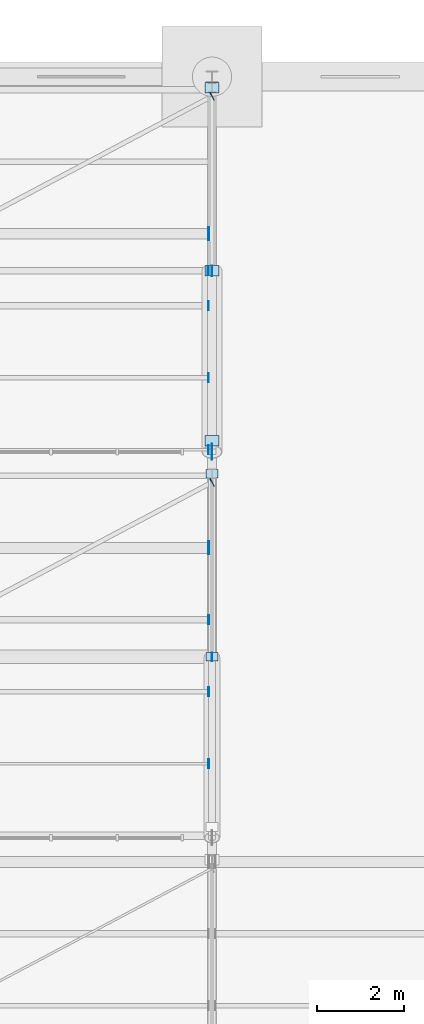
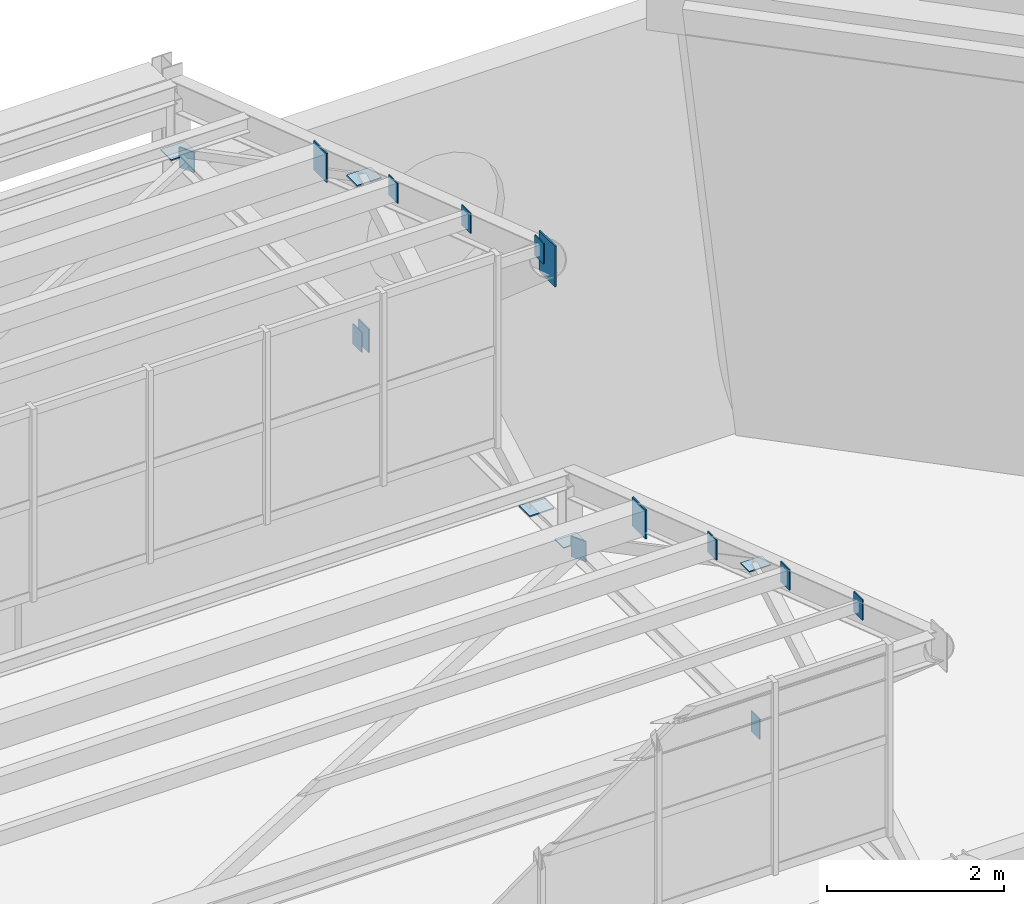
# One storey, part 246 of 285: 19 plates.
"""IFC4 building model written with IfcOpenShell, lengths in metres."""

from ifc_helpers import new_model, si_unit, direction, frame, origin, origin_2d, place, context, subcontext, project, spatial, rectangle, extrude, material, layer, layer_set, type_object, element, save


model = new_model("IFC4")

# Units and contexts
model_context = context("Model", 3, precision=1e-05, world=origin(), true_north=direction((0.0, 1.0)))
body_context = subcontext(model_context, "Body", "Model", "MODEL_VIEW")
ifc_project = project(units=[si_unit("LENGTHUNIT", "METRE"), si_unit("AREAUNIT", "SQUARE_METRE"), si_unit("VOLUMEUNIT", "CUBIC_METRE"), si_unit("PLANEANGLEUNIT", "RADIAN"), si_unit("MASSUNIT", "GRAM", prefix="KILO")], contexts=[model_context])

# Site, building, storey
site_placement = place(None, origin())
site = spatial("IfcSite", under=ifc_project, at=site_placement, CompositionType="ELEMENT")
building_placement = place(site_placement, origin())
building = spatial("IfcBuilding", under=site, at=building_placement, Name="Solanera Park Tramway Depot", CompositionType="ELEMENT")
storey_placement = place(building_placement, origin())
storey = spatial("IfcBuildingStorey", under=building, at=storey_placement, Name="L00", CompositionType="ELEMENT", Elevation=0.0)

# Plates
ifc_material_1 = material(Name="Steel AS/NZS 3679.1 Grade 350", Category="steel")
ifc_layer_1 = layer(ifc_material_1, 0.013916015625)
ifc_layer_set_1 = layer_set([ifc_layer_1], Name="Steel AS/NZS 3679.1 Grade 350")
plate_type_1 = type_object("IfcPlateType", Name="Hollow End Cap and Base Plate 280x200x14", PredefinedType="USERDEFINED", material=ifc_layer_set_1)
plate_1_placement = place(storey_placement, frame((135.0, 130.699951171875, 6.35986328125), z_axis=(0.0, 0.0, 1.0), x_axis=(1.0, 0.0, 0.0)))
element("IfcPlate", 1, at=plate_1_placement, inside=storey, type_object=plate_type_1, Name="Sawtooth Truss Hollow End Cap #0940", ObjectType="BASE PLATE", PredefinedType="USERDEFINED", context=body_context, shape_type="SweptSolid", body=[
    extrude(rectangle(XDim=0.013916015625, YDim=0.199951171875, at=origin_2d()), origin(), (0.0, 0.0, 1.0), 0.280029296875),
])
for number, where, z_axis, x_axis, name in (
    (2, (135.0, 134.89990234375, 6.4931640625), (0.0, 0.0, 1.0), (1.0, 0.0, 0.0), "Sawtooth Truss Node Cap Plate #0941"),
    (3, (135.0, 130.699951171875, 8.71142578125), (0.0, 0.0, 1.0), (1.0, 0.0, 0.0), "Sawtooth Truss Node Cap Plate #0942"),
):
    element("IfcPlate", number, at=place(storey_placement, frame(where, z_axis=z_axis, x_axis=x_axis)), inside=storey, type_object=plate_type_1, Name=name, ObjectType="BASE PLATE", PredefinedType="USERDEFINED", context=body_context, shape_type="SweptSolid", body=[
        extrude(rectangle(XDim=0.280029296875, YDim=0.199951171875, at=origin_2d()), origin(), (0.0, 0.0, 1.0), 0.013916015625),
    ])
for number, where, z_axis, x_axis, name in (
    (4, (134.92529296875, 128.25, 9.5146484375), (0.0, 0.0, 1.0), (1.0, 0.0, 0.0), "Hollow Section Welded End Cap Plate #0955"),
    (5, (134.92529296875, 129.89990234375, 8.92919921875), (0.0, 0.0, 1.0), (1.0, 0.0, 0.0), "Hollow Section Welded End Cap Plate #0967"),
    (6, (134.92529296875, 131.550048828125, 8.34375), (0.0, 0.0, 1.0), (1.0, 0.0, 0.0), "Hollow Section Welded End Cap Plate #0979"),
    (7, (135.000732421875, 134.701416015625, 6.35986328125), (0.0, 0.0, 1.0), (0.883520501477, 0.468392488698, 0.0), "Hollow Section Welded End Cap Plate #1001"),
    (8, (134.922119140625, 135.449951171875, 10.06689453125), (0.0, 0.0, 1.0), (1.0, 0.0, 0.0), "Hollow Section Welded End Cap Plate #1053"),
    (9, (134.922119140625, 137.10009765625, 9.4814453125), (0.0, 0.0, 1.0), (1.0, 0.0, 0.0), "Hollow Section Welded End Cap Plate #1065"),
    (10, (134.922119140625, 138.75, 8.89599609375), (0.0, 0.0, 1.0), (1.0, 0.0, 0.0), "Hollow Section Welded End Cap Plate #1077"),
    (11, (134.9150390625, 139.550048828125, 6.35986328125), (0.0, 0.0, 1.0), (1.0, 0.0, 0.0), "Hollow Section Welded End Cap Plate #1101"),
    (12, (135.000732421875, 143.551513671875, 6.35986328125), (0.0, 0.0, 1.0), (0.883520501477, 0.468392488698, 0.0), "Hollow Section Welded End Cap Plate #1103"),
):
    element("IfcPlate", number, at=place(storey_placement, frame(where, z_axis=z_axis, x_axis=x_axis)), inside=storey, type_object=plate_type_1, Name=name, ObjectType="BASE PLATE", PredefinedType="USERDEFINED", context=body_context, shape_type="SweptSolid", body=[
        extrude(rectangle(XDim=0.013916015625, YDim=0.199951171875, at=origin_2d()), origin(), (0.0, 0.0, 1.0), 0.280029296875),
    ])
ifc_material_2 = material(Name="Steel AS/NZS 3679.1 Grade 350", Category="steel")
ifc_layer_2 = layer(ifc_material_2, 0.01611328125)
ifc_layer_set_2 = layer_set([ifc_layer_2], Name="Steel AS/NZS 3679.1 Grade 350")
plate_type_2 = type_object("IfcPlateType", Name="Hollow End Cap and Base Plate 320x240x16", PredefinedType="USERDEFINED", material=ifc_layer_set_2)
plate_2_placement = place(storey_placement, frame((135.0, 139.550048828125, 6.33984375), z_axis=(0.0, 0.0, 1.0), x_axis=(1.0, 0.0, 0.0)))
element("IfcPlate", 13, at=plate_2_placement, inside=storey, type_object=plate_type_2, Name="Sawtooth Truss Hollow End Cap #1038", ObjectType="BASE PLATE", PredefinedType="USERDEFINED", context=body_context, shape_type="SweptSolid", body=[
    extrude(rectangle(XDim=0.01611328125, YDim=0.239990234375, at=origin_2d()), origin(), (0.0, 0.0, 1.0), 0.320068359375),
])
for number, where, z_axis, x_axis, name in (
    (14, (135.0, 143.75, 6.491943359375), (0.0, 0.0, 1.0), (1.0, 0.0, 0.0), "Sawtooth Truss Node Cap Plate #1039"),
    (15, (135.0, 139.550048828125, 8.68505859375), (0.0, 0.0, 1.0), (1.0, 0.0, 0.0), "Sawtooth Truss Node Cap Plate #1040"),
    (16, (135.0, 135.64990234375, 6.491943359375), (0.0, 0.0, 1.0), (1.0, 0.0, 0.0), "Sawtooth Truss Node Cap Plate #1041"),
):
    element("IfcPlate", number, at=place(storey_placement, frame(where, z_axis=z_axis, x_axis=x_axis)), inside=storey, type_object=plate_type_2, Name=name, ObjectType="BASE PLATE", PredefinedType="USERDEFINED", context=body_context, shape_type="SweptSolid", body=[
        extrude(rectangle(XDim=0.320068359375, YDim=0.239990234375, at=origin_2d()), origin(), (0.0, 0.0, 1.0), 0.01611328125),
    ])
ifc_material_3 = material(Name="Steel AS/NZS 3679.1 Grade 350", Category="steel")
ifc_layer_3 = layer(ifc_material_3, 0.02001953125)
ifc_layer_set_3 = layer_set([ifc_layer_3], Name="Steel AS/NZS 3679.1 Grade 350")
plate_type_3 = type_object("IfcPlateType", Name="Hollow End Cap and Base Plate 400x300x20", PredefinedType="USERDEFINED", material=ifc_layer_set_3)
for number, where, z_axis, x_axis, name in (
    (17, (134.92822265625, 133.199951171875, 7.6650390625), (0.0, 0.0, 1.0), (1.0, 0.0, 0.0), "Hollow Section Welded End Cap Plate #0991"),
    (18, (134.925048828125, 140.39990234375, 8.217041015625), (0.0, 0.0, 1.0), (1.0, 0.0, 0.0), "Hollow Section Welded End Cap Plate #1089"),
):
    element("IfcPlate", number, at=place(storey_placement, frame(where, z_axis=z_axis, x_axis=x_axis)), inside=storey, type_object=plate_type_3, Name=name, ObjectType="BASE PLATE", PredefinedType="USERDEFINED", context=body_context, shape_type="SweptSolid", body=[
        extrude(rectangle(XDim=0.02001953125, YDim=0.300048828125, at=origin_2d()), origin(), (0.0, 0.0, 1.0), 0.39990234375),
    ])
ifc_material_4 = material(Name="Steel AS/NZS 3679.1 Grade 350", Category="steel")
ifc_layer_4 = layer(ifc_material_4, 0.02001953125)
ifc_layer_set_4 = layer_set([ifc_layer_4], Name="Steel AS/NZS 3679.1 Grade 350")
plate_type_4 = type_object("IfcPlateType", Name="Truss Node Gusset Stiffener 560x360x20", PredefinedType="SHEET", material=ifc_layer_set_4)
plate_3_placement = place(storey_placement, frame((135.0, 135.39990234375, 9.801513671875), z_axis=(0.0, 0.0, 1.0), x_axis=(1.0, 0.0, 0.0)))
element("IfcPlate", 19, at=plate_3_placement, inside=storey, type_object=plate_type_4, Name="Sawtooth Truss Apex Gusset Plate #1037", PredefinedType="SHEET", context=body_context, shape_type="SweptSolid", body=[
    extrude(rectangle(XDim=0.02001953125, YDim=0.360107421875, at=origin_2d()), origin(), (0.0, 0.0, 1.0), 0.56005859375),
])

save(model, "model.ifc")
